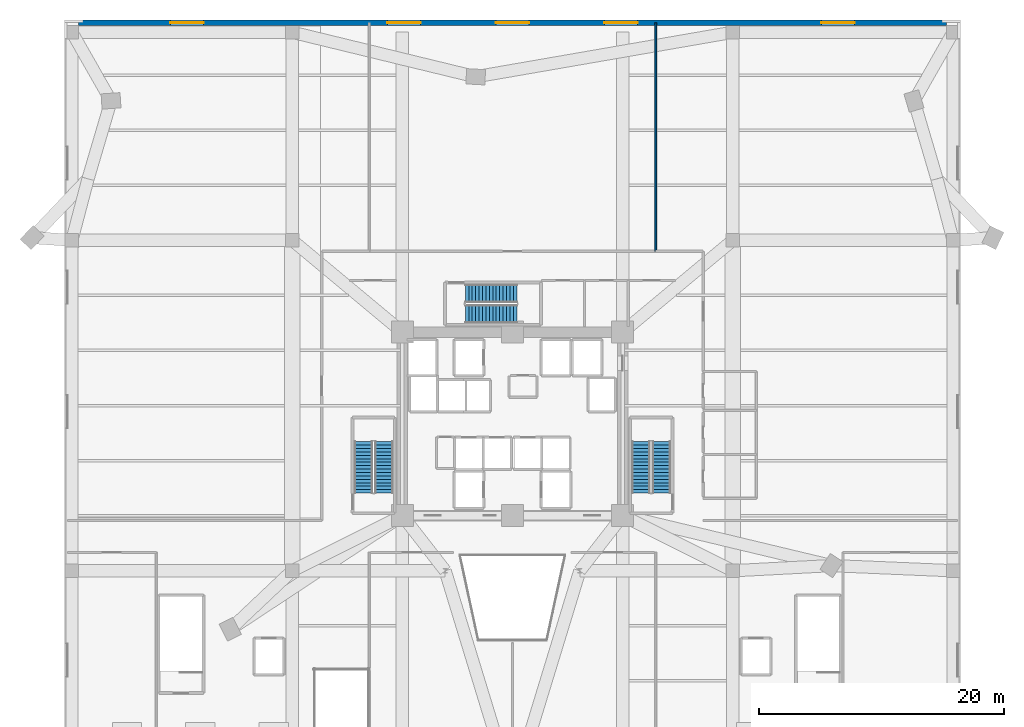
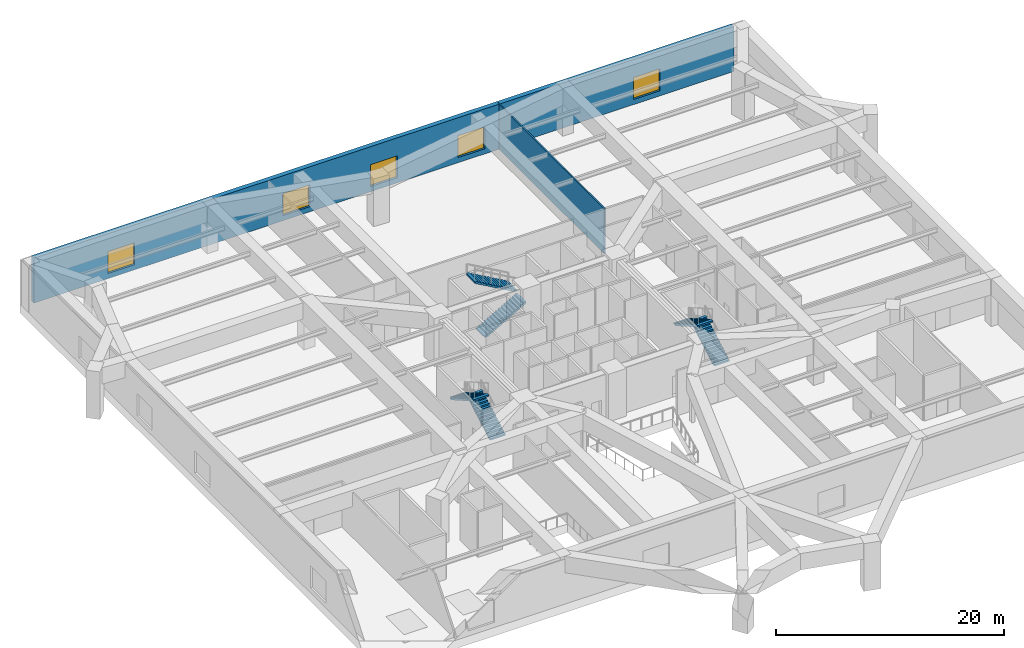
# One storey, part 9 of 14: 6 stair flights, 5 windows, 2 walls, 5 openings, 3 elements without a shape of their own.
"""IFC4 building model written with IfcOpenShell, lengths in metres."""

from ifc_helpers import new_model, si_unit, direction, frame, frame_2d, origin, place, context, subcontext, project, spatial, polyline, rectangle, outline, extrude, source, transform, mapped, material, layer, layer_set, type_object, element, fill, aggregate, save


model = new_model("IFC4")

# Units and contexts
model_context = context("Model", 3, precision=1e-05, world=origin(), true_north=direction((0.0, 1.0)))
body_context = subcontext(model_context, "Body", "Model", "MODEL_VIEW")
ifc_project = project(units=[si_unit("LENGTHUNIT", "METRE"), si_unit("AREAUNIT", "SQUARE_METRE"), si_unit("VOLUMEUNIT", "CUBIC_METRE"), si_unit("PLANEANGLEUNIT", "RADIAN"), si_unit("MASSUNIT", "GRAM", prefix="KILO")], contexts=[model_context])

# Site, building, storey
site_placement = place(None, origin())
site = spatial("IfcSite", under=ifc_project, at=site_placement, CompositionType="ELEMENT")
building_placement = place(site_placement, origin())
building = spatial("IfcBuilding", under=site, at=building_placement, Name="Liaohun Quay Tower", CompositionType="ELEMENT")
storey_placement = place(building_placement, frame((0.0, 0.0, 23.39990234375)))
storey = spatial("IfcBuildingStorey", under=building, at=storey_placement, Name="L06", CompositionType="ELEMENT", Elevation=23.39990234375)

# Wall, openings, windows
ifc_material_1 = material(Name="Precast concrete C50 with granite facing", Category="masonry")
ifc_layer_1 = layer(ifc_material_1, 0.4599609375, Name="Precast concrete C50 with granite facing", Category="masonry")
ifc_layer_set_1 = layer_set([ifc_layer_1], Name="Precast concrete C50 with granite facing")
wall_type_1 = type_object("IfcWallType", Name="WAL-EXT-POD", PredefinedType="SOLIDWALL", material=ifc_layer_set_1)
wall_1_placement = place(storey_placement, frame((95.4599609375, 86.77001953125, 0.0), z_axis=(0.0, 0.0, 1.0), x_axis=(-1.0, 0.0, 0.0)))
wall_1 = element("IfcWall", 1, at=wall_1_placement, inside=storey, type_object=wall_type_1, Name="L06 Podium Precast Facade Wall 02", PredefinedType="SOLIDWALL", context=body_context, shape_type="SweptSolid", body=[
    extrude(rectangle(XDim=70.919921875, YDim=0.4599609375, at=frame_2d((35.4599609375, 0.0))), origin(), (0.0, 0.0, 1.0), 4.820068359375),
])
shared_shape_1 = source(origin(), body_context, "Body", "SweptSolid", [
    extrude(rectangle(XDim=2.699951171875, YDim=2.35009765625, at=frame_2d((1.35009765625, 1.175048828125))), frame((0.0, 0.239990234375, 0.0), z_axis=(0.0, -1.0, 0.0), x_axis=(1.0, 0.0, 0.0)), (0.0, 0.0, 1.0), 0.47998046875),
])
opening_1_placement = place(wall_1_placement, frame((7.514892578125, 0.0, 0.550048828125)))
opening_1 = element("IfcOpeningElement", 2, at=opening_1_placement, cuts=wall_1, Name="Opening W06", PredefinedType="OPENING", context=body_context, shape_type="MappedRepresentation", body=[
    mapped(shared_shape_1, transform((0.0, 0.0, 0.0), x_axis=(1.0, 0.0, 0.0), y_axis=(0.0, 1.0, 0.0), z_axis=(0.0, 0.0, 1.0), scale=1.0)),
])
opening_2_placement = place(wall_1_placement, frame((25.2451171875, 0.0, 0.550048828125)))
opening_2 = element("IfcOpeningElement", 3, at=opening_2_placement, cuts=wall_1, Name="Opening W06", PredefinedType="OPENING", context=body_context, shape_type="MappedRepresentation", body=[
    mapped(shared_shape_1, transform((0.0, 0.0, 0.0), x_axis=(1.0, 0.0, 0.0), y_axis=(0.0, 1.0, 0.0), z_axis=(0.0, 0.0, 1.0), scale=1.0)),
])
opening_3_placement = place(wall_1_placement, frame((34.110107421875, 0.0, 0.550048828125)))
opening_3 = element("IfcOpeningElement", 4, at=opening_3_placement, cuts=wall_1, Name="Opening W06", PredefinedType="OPENING", context=body_context, shape_type="MappedRepresentation", body=[
    mapped(shared_shape_1, transform((0.0, 0.0, 0.0), x_axis=(1.0, 0.0, 0.0), y_axis=(0.0, 1.0, 0.0), z_axis=(0.0, 0.0, 1.0), scale=1.0)),
])
opening_4_placement = place(wall_1_placement, frame((42.97509765625, 0.0, 0.550048828125)))
opening_4 = element("IfcOpeningElement", 5, at=opening_4_placement, cuts=wall_1, Name="Opening W06", PredefinedType="OPENING", context=body_context, shape_type="MappedRepresentation", body=[
    mapped(shared_shape_1, transform((0.0, 0.0, 0.0), x_axis=(1.0, 0.0, 0.0), y_axis=(0.0, 1.0, 0.0), z_axis=(0.0, 0.0, 1.0), scale=1.0)),
])
opening_5_placement = place(wall_1_placement, frame((60.705078125, 0.0, 0.550048828125)))
opening_5 = element("IfcOpeningElement", 6, at=opening_5_placement, cuts=wall_1, Name="Opening W06", PredefinedType="OPENING", context=body_context, shape_type="MappedRepresentation", body=[
    mapped(shared_shape_1, transform((0.0, 0.0, 0.0), x_axis=(1.0, 0.0, 0.0), y_axis=(0.0, 1.0, 0.0), z_axis=(0.0, 0.0, 1.0), scale=1.0)),
])
ifc_material_2 = material(Name="Triple Low-E waterfront podium glazing", Category="glass")
window_type = type_object("IfcWindowType", Name="WIN-POD-ARC", PartitioningType="TRIPLE_PANEL_VERTICAL", PredefinedType="WINDOW", material=ifc_material_2)
shared_shape_2 = source(origin(), body_context, "Body", "SweptSolid", [
    extrude(rectangle(XDim=2.699951171875, YDim=2.35009765625, at=frame_2d((1.35009765625, 1.175048828125))), frame((0.0, 0.030029296875, 0.0), z_axis=(0.0, -1.0, 0.0), x_axis=(1.0, 0.0, 0.0)), (0.0, 0.0, 1.0), 0.06005859375),
])
window_1_placement = place(opening_1_placement, origin())
window_1 = element("IfcWindow", 7, at=window_1_placement, inside=storey, type_object=window_type, Name="L06 Podium Punched Window W06-02-01", OverallHeight=2.35009765625, OverallWidth=2.699951171875, PartitioningType="TRIPLE_PANEL_VERTICAL", PredefinedType="WINDOW", context=body_context, shape_type="MappedRepresentation", body=[
    mapped(shared_shape_2, transform((0.0, 0.0, 0.0), x_axis=(1.0, 0.0, 0.0), y_axis=(0.0, 1.0, 0.0), z_axis=(0.0, 0.0, 1.0), scale=1.0)),
])
fill(opening_1, window_1)
window_2_placement = place(opening_2_placement, origin())
window_2 = element("IfcWindow", 8, at=window_2_placement, inside=storey, type_object=window_type, Name="L06 Podium Punched Window W06-02-03", OverallHeight=2.35009765625, OverallWidth=2.699951171875, PartitioningType="TRIPLE_PANEL_VERTICAL", PredefinedType="WINDOW", context=body_context, shape_type="MappedRepresentation", body=[
    mapped(shared_shape_2, transform((0.0, 0.0, 0.0), x_axis=(1.0, 0.0, 0.0), y_axis=(0.0, 1.0, 0.0), z_axis=(0.0, 0.0, 1.0), scale=1.0)),
])
fill(opening_2, window_2)
window_3_placement = place(opening_3_placement, origin())
window_3 = element("IfcWindow", 9, at=window_3_placement, inside=storey, type_object=window_type, Name="L06 Podium Punched Window W06-02-04", OverallHeight=2.35009765625, OverallWidth=2.699951171875, PartitioningType="TRIPLE_PANEL_VERTICAL", PredefinedType="WINDOW", context=body_context, shape_type="MappedRepresentation", body=[
    mapped(shared_shape_2, transform((0.0, 0.0, 0.0), x_axis=(1.0, 0.0, 0.0), y_axis=(0.0, 1.0, 0.0), z_axis=(0.0, 0.0, 1.0), scale=1.0)),
])
fill(opening_3, window_3)
window_4_placement = place(opening_4_placement, origin())
window_4 = element("IfcWindow", 10, at=window_4_placement, inside=storey, type_object=window_type, Name="L06 Podium Punched Window W06-02-05", OverallHeight=2.35009765625, OverallWidth=2.699951171875, PartitioningType="TRIPLE_PANEL_VERTICAL", PredefinedType="WINDOW", context=body_context, shape_type="MappedRepresentation", body=[
    mapped(shared_shape_2, transform((0.0, 0.0, 0.0), x_axis=(1.0, 0.0, 0.0), y_axis=(0.0, 1.0, 0.0), z_axis=(0.0, 0.0, 1.0), scale=1.0)),
])
fill(opening_4, window_4)
window_5_placement = place(opening_5_placement, origin())
window_5 = element("IfcWindow", 11, at=window_5_placement, inside=storey, type_object=window_type, Name="L06 Podium Punched Window W06-02-07", OverallHeight=2.35009765625, OverallWidth=2.699951171875, PartitioningType="TRIPLE_PANEL_VERTICAL", PredefinedType="WINDOW", context=body_context, shape_type="MappedRepresentation", body=[
    mapped(shared_shape_2, transform((0.0, 0.0, 0.0), x_axis=(1.0, 0.0, 0.0), y_axis=(0.0, 1.0, 0.0), z_axis=(0.0, 0.0, 1.0), scale=1.0)),
])
fill(opening_5, window_5)

# Wall
ifc_material_3 = material(Name="Gypsum board on twin steel studs", Category="steel")
ifc_layer_2 = layer(ifc_material_3, 0.139892578125, Name="Gypsum board on twin steel studs", Category="steel")
ifc_layer_set_2 = layer_set([ifc_layer_2], Name="Gypsum board on twin steel studs")
wall_type_2 = type_object("IfcWallType", Name="WAL-PRT-OFF", PredefinedType="PARTITIONING", material=ifc_layer_set_2)
wall_2_placement = place(storey_placement, frame((71.699951171875, 68.10009765625, 0.0), z_axis=(0.0, 0.0, 1.0), x_axis=(0.0, 1.0, 0.0)))
element("IfcWall", 12, at=wall_2_placement, inside=storey, type_object=wall_type_2, Name="L06 Interior Partition Wall 037", PredefinedType="PARTITIONING", context=body_context, shape_type="SweptSolid", body=[
    extrude(rectangle(XDim=18.6748046875, YDim=0.139892578125, at=frame_2d((9.33740234375, 0.0))), origin(), (0.0, 0.0, 1.0), 4.820068359375),
])

# Stair, stair flights
ifc_material_4 = material(Name="Concrete C45", Category="concrete")
stair_type = type_object("IfcStairType", Name="STR-CORE-CRN", PredefinedType="HALF_TURN_STAIR", material=ifc_material_4)
stair_1_placement = place(storey_placement, origin())
stair_1 = element("IfcStair", 13, at=stair_1_placement, inside=storey, type_object=stair_type, Name="L06 Smokeproof Core Exit Stair ST-1", PredefinedType="HALF_TURN_STAIR")
stair_flight_type = type_object("IfcStairFlightType", Name="FLT-CORE-155", PredefinedType="STRAIGHT", material=ifc_material_4)
stair_flight_1_placement = place(storey_placement, frame((49.5048828125, 48.35009765625, 0.0), z_axis=(0.0, 0.0, 1.0), x_axis=(0.0, 1.0, 0.0)))
stair_flight_1 = element("IfcStairFlight", 14, at=stair_flight_1_placement, type_object=stair_flight_type, Name="ST-1 flight 1", NumberOfRisers=16, NumberOfTreads=15, PredefinedType="STRAIGHT", RiserHeight=0.159375, TreadLength=0.28, context=body_context, shape_type="SweptSolid", body=[
    extrude(outline(polyline([(0.0, 0.0), (0.0, 0.159423828125), (0.280029296875, 0.159423828125), (0.280029296875, 0.31884765625), (0.56005859375, 0.31884765625), (0.56005859375, 0.47802734375), (0.840087890625, 0.47802734375), (0.840087890625, 0.637451171875), (1.1201171875, 0.637451171875), (1.1201171875, 0.796875), (1.39990234375, 0.796875), (1.39990234375, 0.956298828125), (1.679931640625, 0.956298828125), (1.679931640625, 1.11572265625), (1.9599609375, 1.11572265625), (1.9599609375, 1.27490234375), (2.239990234375, 1.27490234375), (2.239990234375, 1.434326171875), (2.52001953125, 1.434326171875), (2.52001953125, 1.59375), (2.800048828125, 1.59375), (2.800048828125, 1.753173828125), (3.080078125, 1.753173828125), (3.080078125, 1.91259765625), (3.360107421875, 1.91259765625), (3.360107421875, 2.07177734375), (3.639892578125, 2.07177734375), (3.639892578125, 2.231201171875), (3.919921875, 2.231201171875), (3.919921875, 2.390625), (4.199951171875, 2.390625), (4.199951171875, 2.550048828125), (4.199951171875, 2.21826171875), (0.302978515625, 0.0), (0.0, 0.0)])), frame((0.0, 0.77490234375, 0.0), z_axis=(0.0, -1.0, 0.0), x_axis=(1.0, 0.0, 0.0)), (0.0, 0.0, 1.0), 1.550048828125),
])
stair_flight_2_placement = place(storey_placement, frame((47.81494140625, 52.550048828125, 2.550048828125), z_axis=(0.0, 0.0, 1.0), x_axis=(0.0, -1.0, 0.0)))
stair_flight_2 = element("IfcStairFlight", 15, at=stair_flight_2_placement, type_object=stair_flight_type, Name="ST-1 flight 2", NumberOfRisers=16, NumberOfTreads=15, PredefinedType="STRAIGHT", RiserHeight=0.159375, TreadLength=0.28, context=body_context, shape_type="SweptSolid", body=[
    extrude(outline(polyline([(0.0, 0.0), (0.0, 0.159423828125), (0.280029296875, 0.159423828125), (0.280029296875, 0.31884765625), (0.56005859375, 0.31884765625), (0.56005859375, 0.47802734375), (0.840087890625, 0.47802734375), (0.840087890625, 0.637451171875), (1.1201171875, 0.637451171875), (1.1201171875, 0.796875), (1.39990234375, 0.796875), (1.39990234375, 0.956298828125), (1.679931640625, 0.956298828125), (1.679931640625, 1.11572265625), (1.9599609375, 1.11572265625), (1.9599609375, 1.27490234375), (2.239990234375, 1.27490234375), (2.239990234375, 1.434326171875), (2.52001953125, 1.434326171875), (2.52001953125, 1.59375), (2.800048828125, 1.59375), (2.800048828125, 1.753173828125), (3.080078125, 1.753173828125), (3.080078125, 1.91259765625), (3.360107421875, 1.91259765625), (3.360107421875, 2.07177734375), (3.639892578125, 2.07177734375), (3.639892578125, 2.231201171875), (3.919921875, 2.231201171875), (3.919921875, 2.390625), (4.199951171875, 2.390625), (4.199951171875, 2.550048828125), (4.199951171875, 2.21826171875), (0.302978515625, 0.0), (0.0, 0.0)])), frame((0.0, 0.77490234375, 0.0), z_axis=(0.0, -1.0, 0.0), x_axis=(1.0, 0.0, 0.0)), (0.0, 0.0, 1.0), 1.550048828125),
])
aggregate(stair_1, [stair_flight_1, stair_flight_2])

stair_2_placement = place(storey_placement, origin())
stair_2 = element("IfcStair", 16, at=stair_2_placement, inside=storey, type_object=stair_type, Name="L06 Smokeproof Core Exit Stair ST-2", PredefinedType="HALF_TURN_STAIR")
stair_flight_3_placement = place(storey_placement, frame((72.18505859375, 48.35009765625, 0.0), z_axis=(0.0, 0.0, 1.0), x_axis=(0.0, 1.0, 0.0)))
stair_flight_3 = element("IfcStairFlight", 17, at=stair_flight_3_placement, type_object=stair_flight_type, Name="ST-2 flight 1", NumberOfRisers=16, NumberOfTreads=15, PredefinedType="STRAIGHT", RiserHeight=0.159375, TreadLength=0.28, context=body_context, shape_type="SweptSolid", body=[
    extrude(outline(polyline([(0.0, 0.0), (0.0, 0.159423828125), (0.280029296875, 0.159423828125), (0.280029296875, 0.31884765625), (0.56005859375, 0.31884765625), (0.56005859375, 0.47802734375), (0.840087890625, 0.47802734375), (0.840087890625, 0.637451171875), (1.1201171875, 0.637451171875), (1.1201171875, 0.796875), (1.39990234375, 0.796875), (1.39990234375, 0.956298828125), (1.679931640625, 0.956298828125), (1.679931640625, 1.11572265625), (1.9599609375, 1.11572265625), (1.9599609375, 1.27490234375), (2.239990234375, 1.27490234375), (2.239990234375, 1.434326171875), (2.52001953125, 1.434326171875), (2.52001953125, 1.59375), (2.800048828125, 1.59375), (2.800048828125, 1.753173828125), (3.080078125, 1.753173828125), (3.080078125, 1.91259765625), (3.360107421875, 1.91259765625), (3.360107421875, 2.07177734375), (3.639892578125, 2.07177734375), (3.639892578125, 2.231201171875), (3.919921875, 2.231201171875), (3.919921875, 2.390625), (4.199951171875, 2.390625), (4.199951171875, 2.550048828125), (4.199951171875, 2.21826171875), (0.302978515625, 0.0), (0.0, 0.0)])), frame((0.0, 0.77490234375, 0.0), z_axis=(0.0, -1.0, 0.0), x_axis=(1.0, 0.0, 0.0)), (0.0, 0.0, 1.0), 1.550048828125),
])
stair_flight_4_placement = place(storey_placement, frame((70.4951171875, 52.550048828125, 2.550048828125), z_axis=(0.0, 0.0, 1.0), x_axis=(0.0, -1.0, 0.0)))
stair_flight_4 = element("IfcStairFlight", 18, at=stair_flight_4_placement, type_object=stair_flight_type, Name="ST-2 flight 2", NumberOfRisers=16, NumberOfTreads=15, PredefinedType="STRAIGHT", RiserHeight=0.159375, TreadLength=0.28, context=body_context, shape_type="SweptSolid", body=[
    extrude(outline(polyline([(0.0, 0.0), (0.0, 0.159423828125), (0.280029296875, 0.159423828125), (0.280029296875, 0.31884765625), (0.56005859375, 0.31884765625), (0.56005859375, 0.47802734375), (0.840087890625, 0.47802734375), (0.840087890625, 0.637451171875), (1.1201171875, 0.637451171875), (1.1201171875, 0.796875), (1.39990234375, 0.796875), (1.39990234375, 0.956298828125), (1.679931640625, 0.956298828125), (1.679931640625, 1.11572265625), (1.9599609375, 1.11572265625), (1.9599609375, 1.27490234375), (2.239990234375, 1.27490234375), (2.239990234375, 1.434326171875), (2.52001953125, 1.434326171875), (2.52001953125, 1.59375), (2.800048828125, 1.59375), (2.800048828125, 1.753173828125), (3.080078125, 1.753173828125), (3.080078125, 1.91259765625), (3.360107421875, 1.91259765625), (3.360107421875, 2.07177734375), (3.639892578125, 2.07177734375), (3.639892578125, 2.231201171875), (3.919921875, 2.231201171875), (3.919921875, 2.390625), (4.199951171875, 2.390625), (4.199951171875, 2.550048828125), (4.199951171875, 2.21826171875), (0.302978515625, 0.0), (0.0, 0.0)])), frame((0.0, 0.77490234375, 0.0), z_axis=(0.0, -1.0, 0.0), x_axis=(1.0, 0.0, 0.0)), (0.0, 0.0, 1.0), 1.550048828125),
])
aggregate(stair_2, [stair_flight_3, stair_flight_4])

stair_3_placement = place(storey_placement, origin())
stair_3 = element("IfcStair", 19, at=stair_3_placement, inside=storey, type_object=stair_type, Name="L06 Smokeproof Core Exit Stair ST-3", PredefinedType="HALF_TURN_STAIR")
stair_flight_5_placement = place(storey_placement, frame((56.14990234375, 62.97509765625, 0.0), z_axis=(0.0, 0.0, 1.0), x_axis=(1.0, 0.0, 0.0)))
stair_flight_5 = element("IfcStairFlight", 20, at=stair_flight_5_placement, type_object=stair_flight_type, Name="ST-3 flight 1", NumberOfRisers=16, NumberOfTreads=15, PredefinedType="STRAIGHT", RiserHeight=0.159375, TreadLength=0.28, context=body_context, shape_type="SweptSolid", body=[
    extrude(outline(polyline([(0.0, 0.0), (0.0, 0.159423828125), (0.280029296875, 0.159423828125), (0.280029296875, 0.31884765625), (0.56005859375, 0.31884765625), (0.56005859375, 0.47802734375), (0.840087890625, 0.47802734375), (0.840087890625, 0.637451171875), (1.1201171875, 0.637451171875), (1.1201171875, 0.796875), (1.39990234375, 0.796875), (1.39990234375, 0.956298828125), (1.679931640625, 0.956298828125), (1.679931640625, 1.11572265625), (1.9599609375, 1.11572265625), (1.9599609375, 1.27490234375), (2.239990234375, 1.27490234375), (2.239990234375, 1.434326171875), (2.52001953125, 1.434326171875), (2.52001953125, 1.59375), (2.800048828125, 1.59375), (2.800048828125, 1.753173828125), (3.080078125, 1.753173828125), (3.080078125, 1.91259765625), (3.360107421875, 1.91259765625), (3.360107421875, 2.07177734375), (3.639892578125, 2.07177734375), (3.639892578125, 2.231201171875), (3.919921875, 2.231201171875), (3.919921875, 2.390625), (4.199951171875, 2.390625), (4.199951171875, 2.550048828125), (4.199951171875, 2.21826171875), (0.302978515625, 0.0), (0.0, 0.0)])), frame((0.0, 0.77490234375, 0.0), z_axis=(0.0, -1.0, 0.0), x_axis=(1.0, 0.0, 0.0)), (0.0, 0.0, 1.0), 1.550048828125),
])
stair_flight_6_placement = place(storey_placement, frame((60.35009765625, 64.6650390625, 2.550048828125), z_axis=(0.0, 0.0, 1.0), x_axis=(-1.0, 0.0, 0.0)))
stair_flight_6 = element("IfcStairFlight", 21, at=stair_flight_6_placement, type_object=stair_flight_type, Name="ST-3 flight 2", NumberOfRisers=16, NumberOfTreads=15, PredefinedType="STRAIGHT", RiserHeight=0.159375, TreadLength=0.28, context=body_context, shape_type="SweptSolid", body=[
    extrude(outline(polyline([(0.0, 0.0), (0.0, 0.159423828125), (0.280029296875, 0.159423828125), (0.280029296875, 0.31884765625), (0.56005859375, 0.31884765625), (0.56005859375, 0.47802734375), (0.840087890625, 0.47802734375), (0.840087890625, 0.637451171875), (1.1201171875, 0.637451171875), (1.1201171875, 0.796875), (1.39990234375, 0.796875), (1.39990234375, 0.956298828125), (1.679931640625, 0.956298828125), (1.679931640625, 1.11572265625), (1.9599609375, 1.11572265625), (1.9599609375, 1.27490234375), (2.239990234375, 1.27490234375), (2.239990234375, 1.434326171875), (2.52001953125, 1.434326171875), (2.52001953125, 1.59375), (2.800048828125, 1.59375), (2.800048828125, 1.753173828125), (3.080078125, 1.753173828125), (3.080078125, 1.91259765625), (3.360107421875, 1.91259765625), (3.360107421875, 2.07177734375), (3.639892578125, 2.07177734375), (3.639892578125, 2.231201171875), (3.919921875, 2.231201171875), (3.919921875, 2.390625), (4.199951171875, 2.390625), (4.199951171875, 2.550048828125), (4.199951171875, 2.21826171875), (0.302978515625, 0.0), (0.0, 0.0)])), frame((0.0, 0.77490234375, 0.0), z_axis=(0.0, -1.0, 0.0), x_axis=(1.0, 0.0, 0.0)), (0.0, 0.0, 1.0), 1.550048828125),
])
aggregate(stair_3, [stair_flight_5, stair_flight_6])

save(model, "model.ifc")
